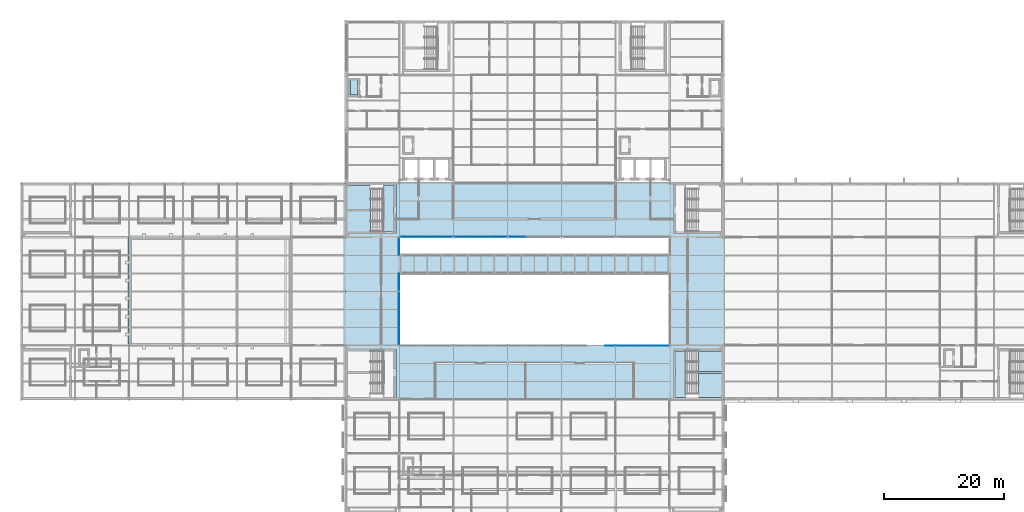
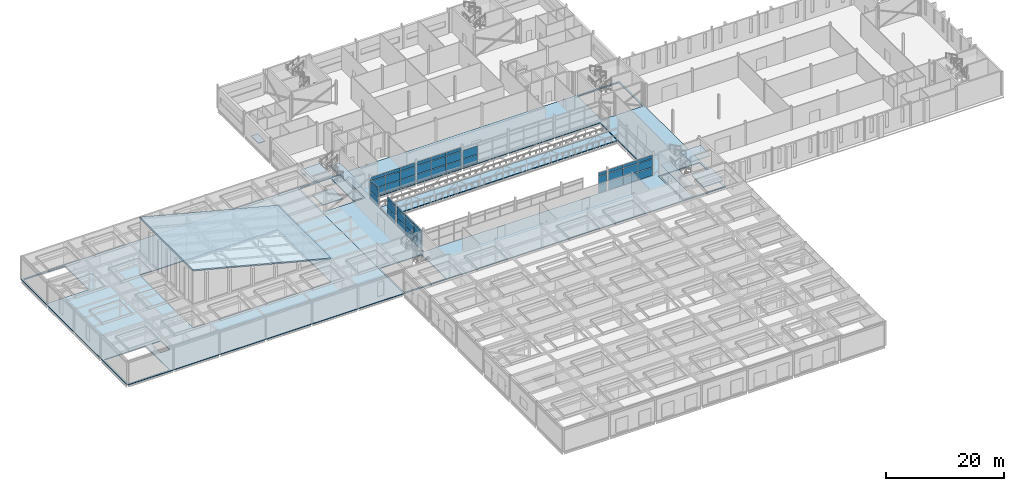
# One storey, part 72 of 115: 47 plates, 13 slabs, 10 elements without a shape of their own.
"""IFC4 building model written with IfcOpenShell, lengths in metres."""

from ifc_helpers import new_model, si_unit, direction, frame, origin, origin_2d, place, context, subcontext, project, spatial, polyline, rectangle, outline, extrude, material, layer, layer_set, type_object, element, aggregate, save


model = new_model("IFC4")

# Units and contexts
model_context = context("Model", 3, precision=1e-05, world=origin(), true_north=direction((0.0, 1.0)))
body_context = subcontext(model_context, "Body", "Model", "MODEL_VIEW")
ifc_project = project(units=[si_unit("LENGTHUNIT", "METRE"), si_unit("AREAUNIT", "SQUARE_METRE"), si_unit("VOLUMEUNIT", "CUBIC_METRE"), si_unit("PLANEANGLEUNIT", "RADIAN"), si_unit("MASSUNIT", "GRAM", prefix="KILO")], contexts=[model_context])

# Site, building, storey
site_placement = place(None, origin())
site = spatial("IfcSite", under=ifc_project, at=site_placement, CompositionType="ELEMENT")
building_placement = place(site_placement, origin())
building = spatial("IfcBuilding", under=site, at=building_placement, Name="Shorebreak Coast Museum", CompositionType="ELEMENT")
storey_placement = place(building_placement, frame((0.0, 0.0, 11.0)))
storey = spatial("IfcBuildingStorey", under=building, at=storey_placement, Name="L02", CompositionType="ELEMENT", Elevation=11.0)

# Slab
ifc_material_1 = material(Name="Concrete N40 (40 MPa)", Category="concrete")
ifc_layer_1 = layer(ifc_material_1, 0.175048828125)
ifc_layer_set_1 = layer_set([ifc_layer_1], Name="Concrete N40 (40 MPa)")
slab_type_1 = type_object("IfcSlabType", Name="Bridge deck 175 concrete N40", PredefinedType="USERDEFINED", material=ifc_layer_set_1)
slab_1_placement = place(storey_placement, frame((0.0, 0.0, -0.175048828125)))
element("IfcSlab", 1, at=slab_1_placement, inside=storey, type_object=slab_type_1, Name="Atrium bridge deck BR1", ObjectType="BRIDGE DECK", PredefinedType="USERDEFINED", context=body_context, shape_type="SweptSolid", body=[
    extrude(outline(polyline([(63.114501953125, 75.0), (107.885498046875, 75.0), (107.885498046875, 78.0), (63.114501953125, 78.0), (63.114501953125, 75.0)])), origin(), (0.0, 0.0, 1.0), 0.175048828125),
])

# Curtain wall, plates
ifc_material_2 = material(Name="Aluminium", Category="aluminium")
ifc_layer_2 = layer(ifc_material_2, 0.1201171875)
ifc_layer_set_2 = layer_set([ifc_layer_2], Name="Aluminium")
curtain_wall_type = type_object("IfcCurtainWallType", Name="Atrium fire screen", PredefinedType="NOTDEFINED", material=ifc_layer_set_2)
curtain_wall_1_placement = place(storey_placement, origin())
curtain_wall_1 = element("IfcCurtainWall", 2, at=curtain_wall_1_placement, inside=storey, type_object=curtain_wall_type, Name="Atrium screen L02 S 20", PredefinedType="NOTDEFINED")
ifc_material_3 = material(Name="Glass", Category="glass")
ifc_layer_3 = layer(ifc_material_3, 0.034912109375)
ifc_layer_set_3 = layer_set([ifc_layer_3], Name="Glass")
plate_type = type_object("IfcPlateType", Name="Fire-resisting glass panel 35", PredefinedType="CURTAIN_PANEL", material=ifc_layer_set_3)
plate_1_placement = place(storey_placement, frame((98.022216796875, 62.93994140625, 0.119873046875), z_axis=(0.0, 0.0, 1.0), x_axis=(1.0, 0.0, 0.0)))
plate_1 = element("IfcPlate", 3, at=plate_1_placement, type_object=plate_type, Name="CW6 panel 1.1", PredefinedType="CURTAIN_PANEL", context=body_context, shape_type="SweptSolid", body=[
    extrude(rectangle(XDim=1.54443359375, YDim=0.034912109375, at=origin_2d()), origin(), (0.0, 0.0, 1.0), 1.6201171875),
])
plate_2_placement = place(storey_placement, frame((98.022216796875, 62.93994140625, 1.85986328125), z_axis=(0.0, 0.0, 1.0), x_axis=(1.0, 0.0, 0.0)))
plate_2 = element("IfcPlate", 4, at=plate_2_placement, type_object=plate_type, Name="CW6 panel 1.2", PredefinedType="CURTAIN_PANEL", context=body_context, shape_type="SweptSolid", body=[
    extrude(rectangle(XDim=1.54443359375, YDim=0.034912109375, at=origin_2d()), origin(), (0.0, 0.0, 1.0), 1.679931640625),
])
plate_3_placement = place(storey_placement, frame((98.022216796875, 62.93994140625, 3.66015625), z_axis=(0.0, 0.0, 1.0), x_axis=(1.0, 0.0, 0.0)))
plate_3 = element("IfcPlate", 5, at=plate_3_placement, type_object=plate_type, Name="CW6 panel 1.3", PredefinedType="CURTAIN_PANEL", context=body_context, shape_type="SweptSolid", body=[
    extrude(rectangle(XDim=1.54443359375, YDim=0.034912109375, at=origin_2d()), origin(), (0.0, 0.0, 1.0), 0.642333984375),
])
aggregate(curtain_wall_1, [plate_1, plate_2, plate_3])

curtain_wall_2_placement = place(storey_placement, origin())
curtain_wall_2 = element("IfcCurtainWall", 6, at=curtain_wall_2_placement, inside=storey, type_object=curtain_wall_type, Name="Atrium screen L02 S 21", PredefinedType="NOTDEFINED")
plate_4_placement = place(storey_placement, frame((100.6162109375, 62.93994140625, 0.119873046875), z_axis=(0.0, 0.0, 1.0), x_axis=(1.0, 0.0, 0.0)))
plate_4 = element("IfcPlate", 7, at=plate_4_placement, type_object=plate_type, Name="CW4 panel 1.1", PredefinedType="CURTAIN_PANEL", context=body_context, shape_type="SweptSolid", body=[
    extrude(rectangle(XDim=2.8212890625, YDim=0.034912109375, at=origin_2d()), origin(), (0.0, 0.0, 1.0), 1.6201171875),
])
plate_5_placement = place(storey_placement, frame((100.6162109375, 62.93994140625, 1.85986328125), z_axis=(0.0, 0.0, 1.0), x_axis=(1.0, 0.0, 0.0)))
plate_5 = element("IfcPlate", 8, at=plate_5_placement, type_object=plate_type, Name="CW4 panel 1.2", PredefinedType="CURTAIN_PANEL", context=body_context, shape_type="SweptSolid", body=[
    extrude(rectangle(XDim=2.8212890625, YDim=0.034912109375, at=origin_2d()), origin(), (0.0, 0.0, 1.0), 1.679931640625),
])
plate_6_placement = place(storey_placement, frame((100.6162109375, 62.93994140625, 3.66015625), z_axis=(0.0, 0.0, 1.0), x_axis=(1.0, 0.0, 0.0)))
plate_6 = element("IfcPlate", 9, at=plate_6_placement, type_object=plate_type, Name="CW4 panel 1.3", PredefinedType="CURTAIN_PANEL", context=body_context, shape_type="SweptSolid", body=[
    extrude(rectangle(XDim=2.8212890625, YDim=0.034912109375, at=origin_2d()), origin(), (0.0, 0.0, 1.0), 0.642333984375),
])
plate_7_placement = place(storey_placement, frame((103.5, 62.93994140625, 0.119873046875), z_axis=(0.0, 0.0, 1.0), x_axis=(1.0, 0.0, 0.0)))
plate_7 = element("IfcPlate", 10, at=plate_7_placement, type_object=plate_type, Name="CW4 panel 2.1", PredefinedType="CURTAIN_PANEL", context=body_context, shape_type="SweptSolid", body=[
    extrude(rectangle(XDim=2.846435546875, YDim=0.034912109375, at=origin_2d()), origin(), (0.0, 0.0, 1.0), 1.6201171875),
])
plate_8_placement = place(storey_placement, frame((103.5, 62.93994140625, 1.85986328125), z_axis=(0.0, 0.0, 1.0), x_axis=(1.0, 0.0, 0.0)))
plate_8 = element("IfcPlate", 11, at=plate_8_placement, type_object=plate_type, Name="CW4 panel 2.2", PredefinedType="CURTAIN_PANEL", context=body_context, shape_type="SweptSolid", body=[
    extrude(rectangle(XDim=2.846435546875, YDim=0.034912109375, at=origin_2d()), origin(), (0.0, 0.0, 1.0), 1.679931640625),
])
plate_9_placement = place(storey_placement, frame((103.5, 62.93994140625, 3.66015625), z_axis=(0.0, 0.0, 1.0), x_axis=(1.0, 0.0, 0.0)))
plate_9 = element("IfcPlate", 12, at=plate_9_placement, type_object=plate_type, Name="CW4 panel 2.3", PredefinedType="CURTAIN_PANEL", context=body_context, shape_type="SweptSolid", body=[
    extrude(rectangle(XDim=2.846435546875, YDim=0.034912109375, at=origin_2d()), origin(), (0.0, 0.0, 1.0), 0.642333984375),
])
plate_10_placement = place(storey_placement, frame((106.3837890625, 62.93994140625, 0.119873046875), z_axis=(0.0, 0.0, 1.0), x_axis=(1.0, 0.0, 0.0)))
plate_10 = element("IfcPlate", 13, at=plate_10_placement, type_object=plate_type, Name="CW4 panel 3.1", PredefinedType="CURTAIN_PANEL", context=body_context, shape_type="SweptSolid", body=[
    extrude(rectangle(XDim=2.8212890625, YDim=0.034912109375, at=origin_2d()), origin(), (0.0, 0.0, 1.0), 1.6201171875),
])
plate_11_placement = place(storey_placement, frame((106.3837890625, 62.93994140625, 1.85986328125), z_axis=(0.0, 0.0, 1.0), x_axis=(1.0, 0.0, 0.0)))
plate_11 = element("IfcPlate", 14, at=plate_11_placement, type_object=plate_type, Name="CW4 panel 3.2", PredefinedType="CURTAIN_PANEL", context=body_context, shape_type="SweptSolid", body=[
    extrude(rectangle(XDim=2.8212890625, YDim=0.034912109375, at=origin_2d()), origin(), (0.0, 0.0, 1.0), 1.679931640625),
])
plate_12_placement = place(storey_placement, frame((106.3837890625, 62.93994140625, 3.66015625), z_axis=(0.0, 0.0, 1.0), x_axis=(1.0, 0.0, 0.0)))
plate_12 = element("IfcPlate", 15, at=plate_12_placement, type_object=plate_type, Name="CW4 panel 3.3", PredefinedType="CURTAIN_PANEL", context=body_context, shape_type="SweptSolid", body=[
    extrude(rectangle(XDim=2.8212890625, YDim=0.034912109375, at=origin_2d()), origin(), (0.0, 0.0, 1.0), 0.642333984375),
])
aggregate(curtain_wall_2, [plate_4, plate_5, plate_6, plate_7, plate_8, plate_9, plate_10, plate_11, plate_12])

curtain_wall_3_placement = place(storey_placement, origin())
curtain_wall_3 = element("IfcCurtainWall", 16, at=curtain_wall_3_placement, inside=storey, type_object=curtain_wall_type, Name="Atrium screen L02 N 22", PredefinedType="NOTDEFINED")
plate_13_placement = place(storey_placement, frame((64.6162109375, 81.06005859375, 0.119873046875), z_axis=(0.0, 0.0, 1.0), x_axis=(1.0, 0.0, 0.0)))
plate_13 = element("IfcPlate", 17, at=plate_13_placement, type_object=plate_type, Name="CW5 panel 1.1", PredefinedType="CURTAIN_PANEL", context=body_context, shape_type="SweptSolid", body=[
    extrude(rectangle(XDim=2.8212890625, YDim=0.034912109375, at=origin_2d()), origin(), (0.0, 0.0, 1.0), 1.6201171875),
])
plate_14_placement = place(storey_placement, frame((64.6162109375, 81.06005859375, 1.85986328125), z_axis=(0.0, 0.0, 1.0), x_axis=(1.0, 0.0, 0.0)))
plate_14 = element("IfcPlate", 18, at=plate_14_placement, type_object=plate_type, Name="CW5 panel 1.2", PredefinedType="CURTAIN_PANEL", context=body_context, shape_type="SweptSolid", body=[
    extrude(rectangle(XDim=2.8212890625, YDim=0.034912109375, at=origin_2d()), origin(), (0.0, 0.0, 1.0), 1.679931640625),
])
plate_15_placement = place(storey_placement, frame((64.6162109375, 81.06005859375, 3.66015625), z_axis=(0.0, 0.0, 1.0), x_axis=(1.0, 0.0, 0.0)))
plate_15 = element("IfcPlate", 19, at=plate_15_placement, type_object=plate_type, Name="CW5 panel 1.3", PredefinedType="CURTAIN_PANEL", context=body_context, shape_type="SweptSolid", body=[
    extrude(rectangle(XDim=2.8212890625, YDim=0.034912109375, at=origin_2d()), origin(), (0.0, 0.0, 1.0), 0.642333984375),
])
plate_16_placement = place(storey_placement, frame((67.5, 81.06005859375, 0.119873046875), z_axis=(0.0, 0.0, 1.0), x_axis=(1.0, 0.0, 0.0)))
plate_16 = element("IfcPlate", 20, at=plate_16_placement, type_object=plate_type, Name="CW5 panel 2.1", PredefinedType="CURTAIN_PANEL", context=body_context, shape_type="SweptSolid", body=[
    extrude(rectangle(XDim=2.846435546875, YDim=0.034912109375, at=origin_2d()), origin(), (0.0, 0.0, 1.0), 1.6201171875),
])
plate_17_placement = place(storey_placement, frame((67.5, 81.06005859375, 1.85986328125), z_axis=(0.0, 0.0, 1.0), x_axis=(1.0, 0.0, 0.0)))
plate_17 = element("IfcPlate", 21, at=plate_17_placement, type_object=plate_type, Name="CW5 panel 2.2", PredefinedType="CURTAIN_PANEL", context=body_context, shape_type="SweptSolid", body=[
    extrude(rectangle(XDim=2.846435546875, YDim=0.034912109375, at=origin_2d()), origin(), (0.0, 0.0, 1.0), 1.679931640625),
])
plate_18_placement = place(storey_placement, frame((67.5, 81.06005859375, 3.66015625), z_axis=(0.0, 0.0, 1.0), x_axis=(1.0, 0.0, 0.0)))
plate_18 = element("IfcPlate", 22, at=plate_18_placement, type_object=plate_type, Name="CW5 panel 2.3", PredefinedType="CURTAIN_PANEL", context=body_context, shape_type="SweptSolid", body=[
    extrude(rectangle(XDim=2.846435546875, YDim=0.034912109375, at=origin_2d()), origin(), (0.0, 0.0, 1.0), 0.642333984375),
])
plate_19_placement = place(storey_placement, frame((70.3837890625, 81.06005859375, 0.119873046875), z_axis=(0.0, 0.0, 1.0), x_axis=(1.0, 0.0, 0.0)))
plate_19 = element("IfcPlate", 23, at=plate_19_placement, type_object=plate_type, Name="CW5 panel 3.1", PredefinedType="CURTAIN_PANEL", context=body_context, shape_type="SweptSolid", body=[
    extrude(rectangle(XDim=2.8212890625, YDim=0.034912109375, at=origin_2d()), origin(), (0.0, 0.0, 1.0), 1.6201171875),
])
plate_20_placement = place(storey_placement, frame((70.3837890625, 81.06005859375, 1.85986328125), z_axis=(0.0, 0.0, 1.0), x_axis=(1.0, 0.0, 0.0)))
plate_20 = element("IfcPlate", 24, at=plate_20_placement, type_object=plate_type, Name="CW5 panel 3.2", PredefinedType="CURTAIN_PANEL", context=body_context, shape_type="SweptSolid", body=[
    extrude(rectangle(XDim=2.8212890625, YDim=0.034912109375, at=origin_2d()), origin(), (0.0, 0.0, 1.0), 1.679931640625),
])
plate_21_placement = place(storey_placement, frame((70.3837890625, 81.06005859375, 3.66015625), z_axis=(0.0, 0.0, 1.0), x_axis=(1.0, 0.0, 0.0)))
plate_21 = element("IfcPlate", 25, at=plate_21_placement, type_object=plate_type, Name="CW5 panel 3.3", PredefinedType="CURTAIN_PANEL", context=body_context, shape_type="SweptSolid", body=[
    extrude(rectangle(XDim=2.8212890625, YDim=0.034912109375, at=origin_2d()), origin(), (0.0, 0.0, 1.0), 0.642333984375),
])
aggregate(curtain_wall_3, [plate_13, plate_14, plate_15, plate_16, plate_17, plate_18, plate_19, plate_20, plate_21])

curtain_wall_4_placement = place(storey_placement, origin())
curtain_wall_4 = element("IfcCurtainWall", 26, at=curtain_wall_4_placement, inside=storey, type_object=curtain_wall_type, Name="Atrium screen L02 N 23", PredefinedType="NOTDEFINED")
plate_22_placement = place(storey_placement, frame((73.6162109375, 81.06005859375, 0.119873046875), z_axis=(0.0, 0.0, 1.0), x_axis=(1.0, 0.0, 0.0)))
plate_22 = element("IfcPlate", 27, at=plate_22_placement, type_object=plate_type, Name="CW6 panel 1.1", PredefinedType="CURTAIN_PANEL", context=body_context, shape_type="SweptSolid", body=[
    extrude(rectangle(XDim=2.8212890625, YDim=0.034912109375, at=origin_2d()), origin(), (0.0, 0.0, 1.0), 1.6201171875),
])
plate_23_placement = place(storey_placement, frame((73.6162109375, 81.06005859375, 1.85986328125), z_axis=(0.0, 0.0, 1.0), x_axis=(1.0, 0.0, 0.0)))
plate_23 = element("IfcPlate", 28, at=plate_23_placement, type_object=plate_type, Name="CW6 panel 1.2", PredefinedType="CURTAIN_PANEL", context=body_context, shape_type="SweptSolid", body=[
    extrude(rectangle(XDim=2.8212890625, YDim=0.034912109375, at=origin_2d()), origin(), (0.0, 0.0, 1.0), 1.679931640625),
])
plate_24_placement = place(storey_placement, frame((73.6162109375, 81.06005859375, 3.66015625), z_axis=(0.0, 0.0, 1.0), x_axis=(1.0, 0.0, 0.0)))
plate_24 = element("IfcPlate", 29, at=plate_24_placement, type_object=plate_type, Name="CW6 panel 1.3", PredefinedType="CURTAIN_PANEL", context=body_context, shape_type="SweptSolid", body=[
    extrude(rectangle(XDim=2.8212890625, YDim=0.034912109375, at=origin_2d()), origin(), (0.0, 0.0, 1.0), 0.642333984375),
])
plate_25_placement = place(storey_placement, frame((76.5, 81.06005859375, 0.119873046875), z_axis=(0.0, 0.0, 1.0), x_axis=(1.0, 0.0, 0.0)))
plate_25 = element("IfcPlate", 30, at=plate_25_placement, type_object=plate_type, Name="CW6 panel 2.1", PredefinedType="CURTAIN_PANEL", context=body_context, shape_type="SweptSolid", body=[
    extrude(rectangle(XDim=2.846435546875, YDim=0.034912109375, at=origin_2d()), origin(), (0.0, 0.0, 1.0), 1.6201171875),
])
plate_26_placement = place(storey_placement, frame((76.5, 81.06005859375, 1.85986328125), z_axis=(0.0, 0.0, 1.0), x_axis=(1.0, 0.0, 0.0)))
plate_26 = element("IfcPlate", 31, at=plate_26_placement, type_object=plate_type, Name="CW6 panel 2.2", PredefinedType="CURTAIN_PANEL", context=body_context, shape_type="SweptSolid", body=[
    extrude(rectangle(XDim=2.846435546875, YDim=0.034912109375, at=origin_2d()), origin(), (0.0, 0.0, 1.0), 1.679931640625),
])
plate_27_placement = place(storey_placement, frame((76.5, 81.06005859375, 3.66015625), z_axis=(0.0, 0.0, 1.0), x_axis=(1.0, 0.0, 0.0)))
plate_27 = element("IfcPlate", 32, at=plate_27_placement, type_object=plate_type, Name="CW6 panel 2.3", PredefinedType="CURTAIN_PANEL", context=body_context, shape_type="SweptSolid", body=[
    extrude(rectangle(XDim=2.846435546875, YDim=0.034912109375, at=origin_2d()), origin(), (0.0, 0.0, 1.0), 0.642333984375),
])
plate_28_placement = place(storey_placement, frame((79.3837890625, 81.06005859375, 0.119873046875), z_axis=(0.0, 0.0, 1.0), x_axis=(1.0, 0.0, 0.0)))
plate_28 = element("IfcPlate", 33, at=plate_28_placement, type_object=plate_type, Name="CW6 panel 3.1", PredefinedType="CURTAIN_PANEL", context=body_context, shape_type="SweptSolid", body=[
    extrude(rectangle(XDim=2.8212890625, YDim=0.034912109375, at=origin_2d()), origin(), (0.0, 0.0, 1.0), 1.6201171875),
])
plate_29_placement = place(storey_placement, frame((79.3837890625, 81.06005859375, 1.85986328125), z_axis=(0.0, 0.0, 1.0), x_axis=(1.0, 0.0, 0.0)))
plate_29 = element("IfcPlate", 34, at=plate_29_placement, type_object=plate_type, Name="CW6 panel 3.2", PredefinedType="CURTAIN_PANEL", context=body_context, shape_type="SweptSolid", body=[
    extrude(rectangle(XDim=2.8212890625, YDim=0.034912109375, at=origin_2d()), origin(), (0.0, 0.0, 1.0), 1.679931640625),
])
plate_30_placement = place(storey_placement, frame((79.3837890625, 81.06005859375, 3.66015625), z_axis=(0.0, 0.0, 1.0), x_axis=(1.0, 0.0, 0.0)))
plate_30 = element("IfcPlate", 35, at=plate_30_placement, type_object=plate_type, Name="CW6 panel 3.3", PredefinedType="CURTAIN_PANEL", context=body_context, shape_type="SweptSolid", body=[
    extrude(rectangle(XDim=2.8212890625, YDim=0.034912109375, at=origin_2d()), origin(), (0.0, 0.0, 1.0), 0.642333984375),
])
aggregate(curtain_wall_4, [plate_22, plate_23, plate_24, plate_25, plate_26, plate_27, plate_28, plate_29, plate_30])

curtain_wall_5_placement = place(storey_placement, origin())
curtain_wall_5 = element("IfcCurtainWall", 36, at=curtain_wall_5_placement, inside=storey, type_object=curtain_wall_type, Name="Atrium screen L02 N 24", PredefinedType="NOTDEFINED")
plate_31_placement = place(storey_placement, frame((82.6162109375, 81.06005859375, 0.119873046875), z_axis=(0.0, 0.0, 1.0), x_axis=(1.0, 0.0, 0.0)))
plate_31 = element("IfcPlate", 37, at=plate_31_placement, type_object=plate_type, Name="CW4 panel 1.1", PredefinedType="CURTAIN_PANEL", context=body_context, shape_type="SweptSolid", body=[
    extrude(rectangle(XDim=2.8212890625, YDim=0.034912109375, at=origin_2d()), origin(), (0.0, 0.0, 1.0), 1.6201171875),
])
plate_32_placement = place(storey_placement, frame((82.6162109375, 81.06005859375, 1.85986328125), z_axis=(0.0, 0.0, 1.0), x_axis=(1.0, 0.0, 0.0)))
plate_32 = element("IfcPlate", 38, at=plate_32_placement, type_object=plate_type, Name="CW4 panel 1.2", PredefinedType="CURTAIN_PANEL", context=body_context, shape_type="SweptSolid", body=[
    extrude(rectangle(XDim=2.8212890625, YDim=0.034912109375, at=origin_2d()), origin(), (0.0, 0.0, 1.0), 1.679931640625),
])
aggregate(curtain_wall_5, [plate_31, plate_32])

curtain_wall_6_placement = place(storey_placement, origin())
curtain_wall_6 = element("IfcCurtainWall", 39, at=curtain_wall_6_placement, inside=storey, type_object=curtain_wall_type, Name="Atrium screen L02 W 27", PredefinedType="NOTDEFINED")
plate_33_placement = place(storey_placement, frame((62.93994140625, 64.62158203125, 0.119873046875), z_axis=(0.0, 0.0, 1.0), x_axis=(0.0, 1.0, 0.0)))
plate_33 = element("IfcPlate", 40, at=plate_33_placement, type_object=plate_type, Name="CW4 panel 1.1", PredefinedType="CURTAIN_PANEL", context=body_context, shape_type="SweptSolid", body=[
    extrude(rectangle(XDim=2.81591796875, YDim=0.034912109375, at=origin_2d()), origin(), (0.0, 0.0, 1.0), 1.6201171875),
])
plate_34_placement = place(storey_placement, frame((62.93994140625, 64.62158203125, 1.85986328125), z_axis=(0.0, 0.0, 1.0), x_axis=(0.0, 1.0, 0.0)))
plate_34 = element("IfcPlate", 41, at=plate_34_placement, type_object=plate_type, Name="CW4 panel 1.2", PredefinedType="CURTAIN_PANEL", context=body_context, shape_type="SweptSolid", body=[
    extrude(rectangle(XDim=2.81591796875, YDim=0.034912109375, at=origin_2d()), origin(), (0.0, 0.0, 1.0), 1.679931640625),
])
plate_35_placement = place(storey_placement, frame((62.93994140625, 64.62158203125, 3.66015625), z_axis=(0.0, 0.0, 1.0), x_axis=(0.0, 1.0, 0.0)))
plate_35 = element("IfcPlate", 42, at=plate_35_placement, type_object=plate_type, Name="CW4 panel 1.3", PredefinedType="CURTAIN_PANEL", context=body_context, shape_type="SweptSolid", body=[
    extrude(rectangle(XDim=2.81591796875, YDim=0.034912109375, at=origin_2d()), origin(), (0.0, 0.0, 1.0), 0.516845703125),
])
plate_36_placement = place(storey_placement, frame((62.93994140625, 67.5, 0.119873046875), z_axis=(0.0, 0.0, 1.0), x_axis=(0.0, 1.0, 0.0)))
plate_36 = element("IfcPlate", 43, at=plate_36_placement, type_object=plate_type, Name="CW4 panel 2.1", PredefinedType="CURTAIN_PANEL", context=body_context, shape_type="SweptSolid", body=[
    extrude(rectangle(XDim=2.8408203125, YDim=0.034912109375, at=origin_2d()), origin(), (0.0, 0.0, 1.0), 1.6201171875),
])
plate_37_placement = place(storey_placement, frame((62.93994140625, 67.5, 1.85986328125), z_axis=(0.0, 0.0, 1.0), x_axis=(0.0, 1.0, 0.0)))
plate_37 = element("IfcPlate", 44, at=plate_37_placement, type_object=plate_type, Name="CW4 panel 2.2", PredefinedType="CURTAIN_PANEL", context=body_context, shape_type="SweptSolid", body=[
    extrude(rectangle(XDim=2.8408203125, YDim=0.034912109375, at=origin_2d()), origin(), (0.0, 0.0, 1.0), 1.679931640625),
])
plate_38_placement = place(storey_placement, frame((62.93994140625, 67.5, 3.66015625), z_axis=(0.0, 0.0, 1.0), x_axis=(0.0, 1.0, 0.0)))
plate_38 = element("IfcPlate", 45, at=plate_38_placement, type_object=plate_type, Name="CW4 panel 2.3", PredefinedType="CURTAIN_PANEL", context=body_context, shape_type="SweptSolid", body=[
    extrude(rectangle(XDim=2.8408203125, YDim=0.034912109375, at=origin_2d()), origin(), (0.0, 0.0, 1.0), 0.516845703125),
])
plate_39_placement = place(storey_placement, frame((62.93994140625, 70.37841796875, 0.119873046875), z_axis=(0.0, 0.0, 1.0), x_axis=(0.0, 1.0, 0.0)))
plate_39 = element("IfcPlate", 46, at=plate_39_placement, type_object=plate_type, Name="CW4 panel 3.1", PredefinedType="CURTAIN_PANEL", context=body_context, shape_type="SweptSolid", body=[
    extrude(rectangle(XDim=2.81591796875, YDim=0.034912109375, at=origin_2d()), origin(), (0.0, 0.0, 1.0), 1.6201171875),
])
plate_40_placement = place(storey_placement, frame((62.93994140625, 70.37841796875, 1.85986328125), z_axis=(0.0, 0.0, 1.0), x_axis=(0.0, 1.0, 0.0)))
plate_40 = element("IfcPlate", 47, at=plate_40_placement, type_object=plate_type, Name="CW4 panel 3.2", PredefinedType="CURTAIN_PANEL", context=body_context, shape_type="SweptSolid", body=[
    extrude(rectangle(XDim=2.81591796875, YDim=0.034912109375, at=origin_2d()), origin(), (0.0, 0.0, 1.0), 1.679931640625),
])
plate_41_placement = place(storey_placement, frame((62.93994140625, 70.37841796875, 3.66015625), z_axis=(0.0, 0.0, 1.0), x_axis=(0.0, 1.0, 0.0)))
plate_41 = element("IfcPlate", 48, at=plate_41_placement, type_object=plate_type, Name="CW4 panel 3.3", PredefinedType="CURTAIN_PANEL", context=body_context, shape_type="SweptSolid", body=[
    extrude(rectangle(XDim=2.81591796875, YDim=0.034912109375, at=origin_2d()), origin(), (0.0, 0.0, 1.0), 0.516845703125),
])
aggregate(curtain_wall_6, [plate_33, plate_34, plate_35, plate_36, plate_37, plate_38, plate_39, plate_40, plate_41])

curtain_wall_7_placement = place(storey_placement, origin())
curtain_wall_7 = element("IfcCurtainWall", 49, at=curtain_wall_7_placement, inside=storey, type_object=curtain_wall_type, Name="Atrium screen L02 W 28", PredefinedType="NOTDEFINED")
plate_42_placement = place(storey_placement, frame((62.93994140625, 73.581787109375, 0.119873046875), z_axis=(0.0, 0.0, 1.0), x_axis=(0.0, 1.0, 0.0)))
plate_42 = element("IfcPlate", 50, at=plate_42_placement, type_object=plate_type, Name="CW5 panel 1.1", PredefinedType="CURTAIN_PANEL", context=body_context, shape_type="SweptSolid", body=[
    extrude(rectangle(XDim=2.736328125, YDim=0.034912109375, at=origin_2d()), origin(), (0.0, 0.0, 1.0), 1.6201171875),
])
plate_43_placement = place(storey_placement, frame((62.93994140625, 73.581787109375, 1.85986328125), z_axis=(0.0, 0.0, 1.0), x_axis=(0.0, 1.0, 0.0)))
plate_43 = element("IfcPlate", 51, at=plate_43_placement, type_object=plate_type, Name="CW5 panel 1.2", PredefinedType="CURTAIN_PANEL", context=body_context, shape_type="SweptSolid", body=[
    extrude(rectangle(XDim=2.736328125, YDim=0.034912109375, at=origin_2d()), origin(), (0.0, 0.0, 1.0), 1.679931640625),
])
plate_44_placement = place(storey_placement, frame((62.93994140625, 73.581787109375, 3.66015625), z_axis=(0.0, 0.0, 1.0), x_axis=(0.0, 1.0, 0.0)))
plate_44 = element("IfcPlate", 52, at=plate_44_placement, type_object=plate_type, Name="CW5 panel 1.3", PredefinedType="CURTAIN_PANEL", context=body_context, shape_type="SweptSolid", body=[
    extrude(rectangle(XDim=2.736328125, YDim=0.034912109375, at=origin_2d()), origin(), (0.0, 0.0, 1.0), 0.516845703125),
])
aggregate(curtain_wall_7, [plate_42, plate_43, plate_44])

curtain_wall_8_placement = place(storey_placement, origin())
curtain_wall_8 = element("IfcCurtainWall", 53, at=curtain_wall_8_placement, inside=storey, type_object=curtain_wall_type, Name="Atrium screen L02 W 29", PredefinedType="NOTDEFINED")
plate_45_placement = place(storey_placement, frame((62.93994140625, 79.418212890625, 0.119873046875), z_axis=(0.0, 0.0, 1.0), x_axis=(0.0, 1.0, 0.0)))
plate_45 = element("IfcPlate", 54, at=plate_45_placement, type_object=plate_type, Name="CW6 panel 1.1", PredefinedType="CURTAIN_PANEL", context=body_context, shape_type="SweptSolid", body=[
    extrude(rectangle(XDim=2.736328125, YDim=0.034912109375, at=origin_2d()), origin(), (0.0, 0.0, 1.0), 1.6201171875),
])
plate_46_placement = place(storey_placement, frame((62.93994140625, 79.418212890625, 1.85986328125), z_axis=(0.0, 0.0, 1.0), x_axis=(0.0, 1.0, 0.0)))
plate_46 = element("IfcPlate", 55, at=plate_46_placement, type_object=plate_type, Name="CW6 panel 1.2", PredefinedType="CURTAIN_PANEL", context=body_context, shape_type="SweptSolid", body=[
    extrude(rectangle(XDim=2.736328125, YDim=0.034912109375, at=origin_2d()), origin(), (0.0, 0.0, 1.0), 1.679931640625),
])
plate_47_placement = place(storey_placement, frame((62.93994140625, 79.418212890625, 3.66015625), z_axis=(0.0, 0.0, 1.0), x_axis=(0.0, 1.0, 0.0)))
plate_47 = element("IfcPlate", 56, at=plate_47_placement, type_object=plate_type, Name="CW6 panel 1.3", PredefinedType="CURTAIN_PANEL", context=body_context, shape_type="SweptSolid", body=[
    extrude(rectangle(XDim=2.736328125, YDim=0.034912109375, at=origin_2d()), origin(), (0.0, 0.0, 1.0), 0.516845703125),
])
aggregate(curtain_wall_8, [plate_45, plate_46, plate_47])

# Slabs
ifc_material_4 = material(Name="Concrete N40 (40 MPa)", Category="concrete")
ifc_layer_4 = layer(ifc_material_4, 0.175048828125)
ifc_layer_set_4 = layer_set([ifc_layer_4], Name="Concrete N40 (40 MPa)")
slab_type_2 = type_object("IfcSlabType", Name="Floor slab 175 concrete N40", PredefinedType="FLOOR", material=ifc_layer_set_4)
slab_2_placement = place(storey_placement, frame((0.0, 0.0, -0.175048828125)))
element("IfcSlab", 57, at=slab_2_placement, inside=storey, type_object=slab_type_2, Name="Floor slab L02 crossing", PredefinedType="FLOOR", context=body_context, shape_type="SweptSolid", body=[
    extrude(outline(polyline([(54.0, 54.0), (117.0, 54.0), (117.0, 90.0), (54.0, 90.0), (54.0, 54.0)]), holes=[polyline([(108.0, 81.0), (108.0, 63.0), (63.0, 63.0), (63.0, 81.0), (108.0, 81.0)]), polyline([(62.39990234375, 54.300048828125), (54.300048828125, 54.300048828125), (54.300048828125, 62.39990234375), (62.39990234375, 62.39990234375), (62.39990234375, 54.300048828125)]), polyline([(108.60009765625, 54.300048828125), (108.60009765625, 62.39990234375), (116.699951171875, 62.39990234375), (116.699951171875, 54.300048828125), (108.60009765625, 54.300048828125)]), polyline([(54.300048828125, 89.699951171875), (62.39990234375, 89.699951171875), (62.39990234375, 81.60009765625), (54.300048828125, 81.60009765625), (54.300048828125, 89.699951171875)]), polyline([(116.699951171875, 89.699951171875), (116.699951171875, 81.60009765625), (108.60009765625, 81.60009765625), (108.60009765625, 89.699951171875), (116.699951171875, 89.699951171875)])]), origin(), (0.0, 0.0, 1.0), 0.175048828125),
])
slab_3_placement = place(storey_placement, frame((0.0, 0.0, -0.175048828125)))
element("IfcSlab", 58, at=slab_3_placement, inside=storey, type_object=slab_type_2, Name="Floor slab L02 west arm", PredefinedType="FLOOR", context=body_context, shape_type="SweptSolid", body=[
    extrude(outline(polyline([(54.0, 54.0), (54.0, 90.0), (0.0, 90.0), (0.0, 54.0), (54.0, 54.0)]), holes=[polyline([(45.0, 63.0), (18.0, 63.0), (18.0, 81.0), (45.0, 81.0), (45.0, 63.0)]), polyline([(9.60009765625, 59.39990234375), (9.60009765625, 62.39990234375), (11.39990234375, 62.39990234375), (11.39990234375, 59.39990234375), (9.60009765625, 59.39990234375)]), polyline([(0.300048828125, 62.39990234375), (8.39990234375, 62.39990234375), (8.39990234375, 54.300048828125), (0.300048828125, 54.300048828125), (0.300048828125, 62.39990234375)]), polyline([(8.39990234375, 89.699951171875), (8.39990234375, 81.60009765625), (0.300048828125, 81.60009765625), (0.300048828125, 89.699951171875), (8.39990234375, 89.699951171875)])]), origin(), (0.0, 0.0, 1.0), 0.175048828125),
])
ifc_material_5 = material(Name="Concrete N40 (40 MPa)", Category="concrete")
ifc_layer_5 = layer(ifc_material_5, 0.10009765625)
ifc_layer_set_5 = layer_set([ifc_layer_5], Name="Concrete N40 (40 MPa)")
slab_type_3 = type_object("IfcSlabType", Name="Riser platform 100", PredefinedType="USERDEFINED", material=ifc_layer_set_5)
slab_4_placement = place(storey_placement, frame((0.0, 0.0, -0.10009765625)))
element("IfcSlab", 59, at=slab_4_placement, inside=storey, type_object=slab_type_3, Name="Riser platform R-WC-N1 L02", ObjectType="RISER PLATFORM", PredefinedType="USERDEFINED", context=body_context, shape_type="SweptSolid", body=[
    extrude(outline(polyline([(54.85009765625, 104.64990234375), (56.14990234375, 104.64990234375), (56.14990234375, 107.14990234375), (54.85009765625, 107.14990234375), (54.85009765625, 104.64990234375)])), origin(), (0.0, 0.0, 1.0), 0.10009765625),
])
ifc_material_6 = material(Name="Concrete N50 (50 MPa)", Category="concrete")
ifc_layer_6 = layer(ifc_material_6, 0.25)
ifc_layer_set_6 = layer_set([ifc_layer_6], Name="Concrete N50 (50 MPa)")
slab_type_4 = type_object("IfcSlabType", Name="Roof slab shell 250 concrete N50", PredefinedType="ROOF", material=ifc_layer_set_6)
slab_5_placement = place(storey_placement, frame((18.0, 63.0, 12.0), z_axis=(0.250962158784, 0.0, 0.967996898166), x_axis=(0.0, 1.0, 0.0)))
element("IfcSlab", 60, at=slab_5_placement, inside=storey, type_object=slab_type_4, Name="Theatre shell roof slab", PredefinedType="ROOF", context=body_context, shape_type="SweptSolid", body=[
    extrude(outline(polyline([(0.0, 0.0), (18.0, 0.0), (18.0, -27.892651361962706), (0.0, -27.892651361962706), (0.0, 0.0)])), origin(), (0.0, 0.0, -1.0), 0.25),
])

# Stair, slabs
ifc_material_7 = material(Name="Concrete N40 (40 MPa)", Category="concrete")
stair_type = type_object("IfcStairType", Name="Stair run 5 m", PredefinedType="DOUBLE_RETURN_STAIR", material=ifc_material_7)
stair_1_placement = place(storey_placement, origin())
stair_1 = element("IfcStair", 61, at=stair_1_placement, inside=storey, type_object=stair_type, Name="Exit stair ST02-L02", PredefinedType="DOUBLE_RETURN_STAIR")
ifc_material_8 = material(Name="Concrete N40 (40 MPa)", Category="concrete")
ifc_layer_7 = layer(ifc_material_8, 0.199951171875)
ifc_layer_set_7 = layer_set([ifc_layer_7], Name="Concrete N40 (40 MPa)")
slab_type_5 = type_object("IfcSlabType", Name="Stair landing 200", PredefinedType="LANDING", material=ifc_layer_set_7)
slab_6_placement = place(storey_placement, frame((0.0, 0.0, -0.199951171875)))
slab_6 = element("IfcSlab", 62, at=slab_6_placement, type_object=slab_type_5, Name="ST02-L02 landing 1", PredefinedType="LANDING", context=body_context, shape_type="SweptSolid", body=[
    extrude(outline(polyline([(108.89990234375, 54.300048828125), (110.699951171875, 54.300048828125), (110.699951171875, 62.10009765625), (108.89990234375, 62.10009765625), (108.89990234375, 54.300048828125)])), origin(), (0.0, 0.0, 1.0), 0.199951171875),
])
slab_7_placement = place(storey_placement, frame((0.0, 0.0, 2.300048828125)))
slab_7 = element("IfcSlab", 63, at=slab_7_placement, type_object=slab_type_5, Name="ST02-L02 landing 2", PredefinedType="LANDING", context=body_context, shape_type="SweptSolid", body=[
    extrude(outline(polyline([(108.89990234375, 54.300048828125), (110.699951171875, 54.300048828125), (110.699951171875, 62.10009765625), (108.89990234375, 62.10009765625), (108.89990234375, 54.300048828125)])), origin(), (0.0, 0.0, 1.0), 0.199951171875),
])
slab_8_placement = place(storey_placement, frame((0.0, 0.0, 1.050048828125)))
slab_8 = element("IfcSlab", 64, at=slab_8_placement, type_object=slab_type_5, Name="ST02-L02 landing 3", PredefinedType="LANDING", context=body_context, shape_type="SweptSolid", body=[
    extrude(outline(polyline([(112.800048828125, 54.300048828125), (116.699951171875, 54.300048828125), (116.699951171875, 58.35009765625), (112.800048828125, 58.35009765625), (112.800048828125, 54.300048828125)])), origin(), (0.0, 0.0, 1.0), 0.199951171875),
])
slab_9_placement = place(storey_placement, frame((0.0, 0.0, 3.550048828125)))
slab_9 = element("IfcSlab", 65, at=slab_9_placement, type_object=slab_type_5, Name="ST02-L02 landing 4", PredefinedType="LANDING", context=body_context, shape_type="SweptSolid", body=[
    extrude(outline(polyline([(112.800048828125, 58.64990234375), (116.699951171875, 58.64990234375), (116.699951171875, 62.10009765625), (112.800048828125, 62.10009765625), (112.800048828125, 58.64990234375)])), origin(), (0.0, 0.0, 1.0), 0.199951171875),
])
aggregate(stair_1, [slab_6, slab_7, slab_8, slab_9])

stair_2_placement = place(storey_placement, origin())
stair_2 = element("IfcStair", 66, at=stair_2_placement, inside=storey, type_object=stair_type, Name="Exit stair ST03-L02", PredefinedType="DOUBLE_RETURN_STAIR")
slab_10_placement = place(storey_placement, frame((0.0, 0.0, -0.199951171875)))
slab_10 = element("IfcSlab", 67, at=slab_10_placement, type_object=slab_type_5, Name="ST03-L02 landing 1", PredefinedType="LANDING", context=body_context, shape_type="SweptSolid", body=[
    extrude(outline(polyline([(60.300048828125, 81.89990234375), (62.10009765625, 81.89990234375), (62.10009765625, 89.699951171875), (60.300048828125, 89.699951171875), (60.300048828125, 81.89990234375)])), origin(), (0.0, 0.0, 1.0), 0.199951171875),
])
slab_11_placement = place(storey_placement, frame((0.0, 0.0, 2.300048828125)))
slab_11 = element("IfcSlab", 68, at=slab_11_placement, type_object=slab_type_5, Name="ST03-L02 landing 2", PredefinedType="LANDING", context=body_context, shape_type="SweptSolid", body=[
    extrude(outline(polyline([(60.300048828125, 81.89990234375), (62.10009765625, 81.89990234375), (62.10009765625, 89.699951171875), (60.300048828125, 89.699951171875), (60.300048828125, 81.89990234375)])), origin(), (0.0, 0.0, 1.0), 0.199951171875),
])
slab_12_placement = place(storey_placement, frame((0.0, 0.0, 1.050048828125)))
slab_12 = element("IfcSlab", 69, at=slab_12_placement, type_object=slab_type_5, Name="ST03-L02 landing 3", PredefinedType="LANDING", context=body_context, shape_type="SweptSolid", body=[
    extrude(outline(polyline([(54.300048828125, 81.89990234375), (58.199951171875, 81.89990234375), (58.199951171875, 85.35009765625), (54.300048828125, 85.35009765625), (54.300048828125, 81.89990234375)])), origin(), (0.0, 0.0, 1.0), 0.199951171875),
])
slab_13_placement = place(storey_placement, frame((0.0, 0.0, 3.550048828125)))
slab_13 = element("IfcSlab", 70, at=slab_13_placement, type_object=slab_type_5, Name="ST03-L02 landing 4", PredefinedType="LANDING", context=body_context, shape_type="SweptSolid", body=[
    extrude(outline(polyline([(54.300048828125, 85.64990234375), (58.199951171875, 85.64990234375), (58.199951171875, 89.699951171875), (54.300048828125, 89.699951171875), (54.300048828125, 85.64990234375)])), origin(), (0.0, 0.0, 1.0), 0.199951171875),
])
aggregate(stair_2, [slab_10, slab_11, slab_12, slab_13])

save(model, "model.ifc")
